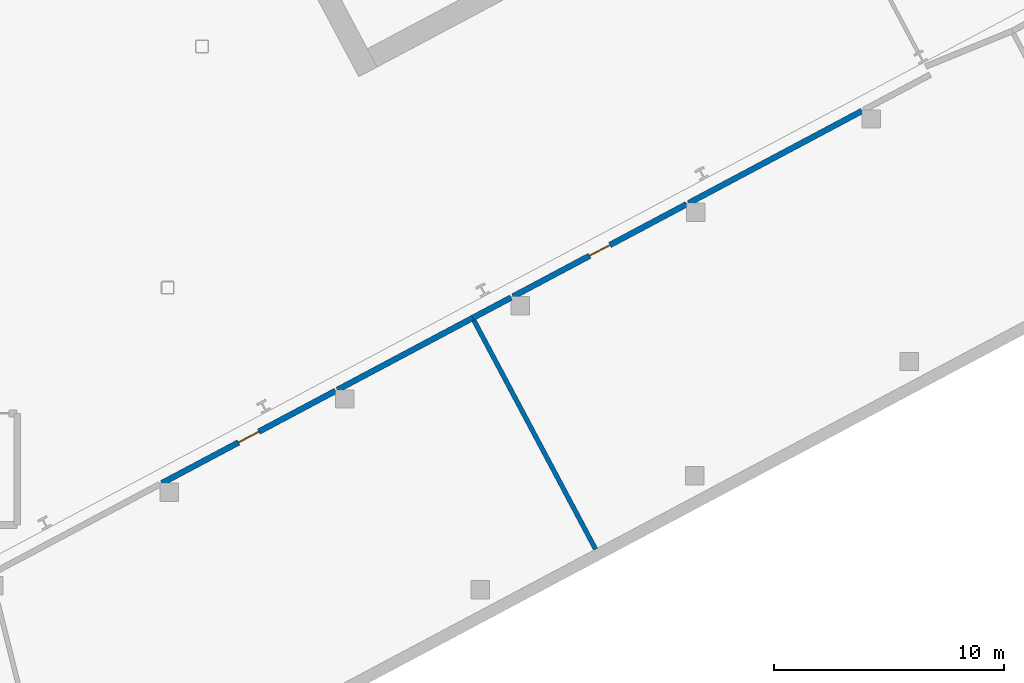
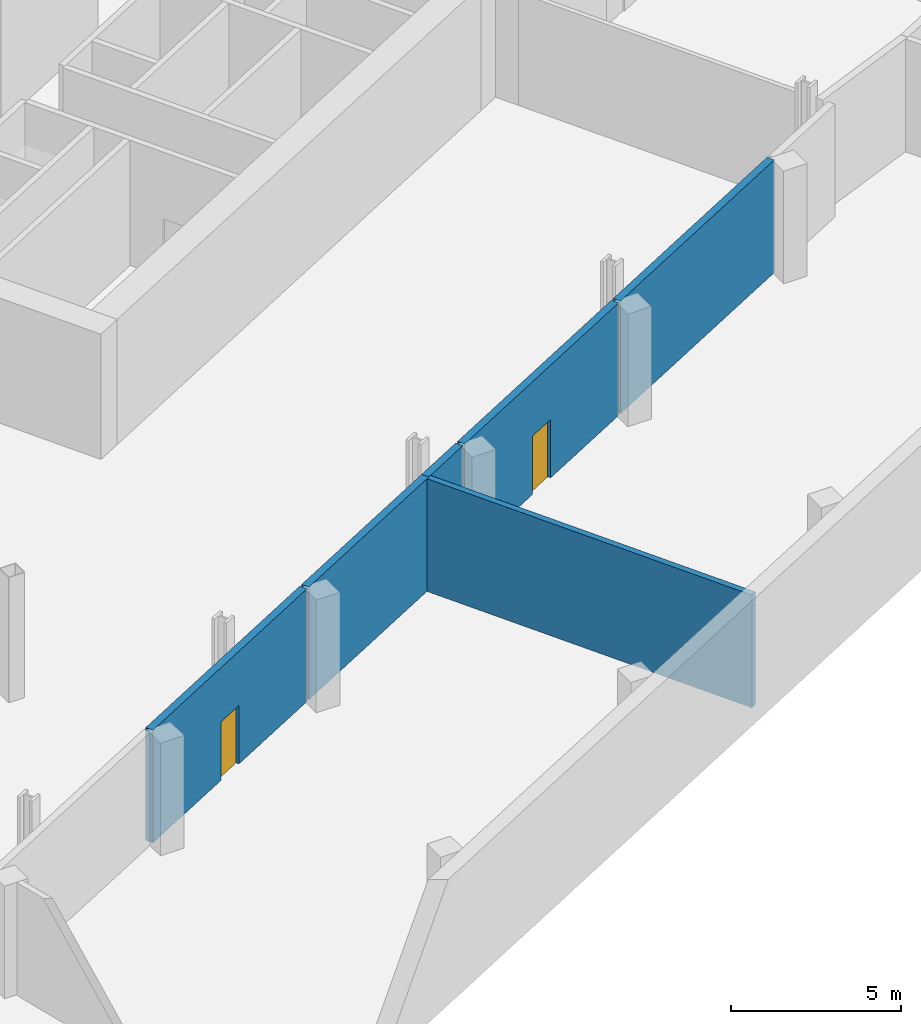
# One storey, part 11 of 27: 6 walls, 2 doors, 2 openings.
"""IFC4 building model written with IfcOpenShell, lengths in metres."""

from ifc_helpers import new_model, si_unit, direction, frame, frame_2d, origin, place, context, subcontext, project, spatial, rectangle, extrude, material, layer, layer_set, type_object, element, fill, save


model = new_model("IFC4")

# Units and contexts
model_context = context("Model", 3, precision=1e-05, world=origin(), true_north=direction((0.0, 1.0)))
body_context = subcontext(model_context, "Body", "Model", "MODEL_VIEW")
ifc_project = project(units=[si_unit("LENGTHUNIT", "METRE"), si_unit("AREAUNIT", "SQUARE_METRE"), si_unit("VOLUMEUNIT", "CUBIC_METRE"), si_unit("PLANEANGLEUNIT", "RADIAN"), si_unit("MASSUNIT", "GRAM", prefix="KILO")], contexts=[model_context])

# Site, building, storey
site_placement = place(None, origin())
site = spatial("IfcSite", under=ifc_project, at=site_placement, CompositionType="ELEMENT")
building_placement = place(site_placement, origin())
building = spatial("IfcBuilding", under=site, at=building_placement, Name="Cormorant Relay Tower", CompositionType="ELEMENT")
storey_placement = place(building_placement, frame((0.0, 0.0, -4.5)))
storey = spatial("IfcBuildingStorey", under=building, at=storey_placement, Name="B1", CompositionType="ELEMENT", Elevation=-4.5)

# Wall
ifc_material_1 = material(Name="Concrete masonry 20 MPa", Category="masonry")
ifc_layer_1 = layer(ifc_material_1, 0.25)
ifc_layer_set_1 = layer_set([ifc_layer_1], Name="Fire separation wall 250")
wall_type_1 = type_object("IfcWallType", Name="Fire separation wall 250", PredefinedType="SOLIDWALL", material=ifc_layer_set_1)
wall_1_placement = place(storey_placement, frame((23.781005859375, -11.819091796875, 0.0), z_axis=(0.0, 0.0, 1.0), x_axis=(-0.882996705644, -0.469379183413, 0.0)))
element("IfcWall", 1, at=wall_1_placement, inside=storey, type_object=wall_type_1, Name="Partition", PredefinedType="SOLIDWALL", context=body_context, shape_type="SweptSolid", body=[
    extrude(rectangle(XDim=6.668212890625, YDim=0.25, at=frame_2d((3.333984375, 0.0))), origin(), (0.0, 0.0, 1.0), 4.050048828125),
])

# Wall, opening, door
wall_2_placement = place(storey_placement, frame((17.806884765625, -14.994873046875, 0.0), z_axis=(0.0, 0.0, 1.0), x_axis=(-0.882988627018, -0.46939438062, 0.0)))
wall_2 = element("IfcWall", 2, at=wall_2_placement, inside=storey, type_object=wall_type_1, Name="Partition", PredefinedType="SOLIDWALL", context=body_context, shape_type="SweptSolid", body=[
    extrude(rectangle(XDim=8.55810546875, YDim=0.25, at=frame_2d((4.279052734375, 0.0))), origin(), (0.0, 0.0, 1.0), 4.050048828125),
])
opening_1_placement = place(wall_2_placement, frame((3.779052734375, 0.0, 0.0)))
opening_1 = element("IfcOpeningElement", 3, at=opening_1_placement, cuts=wall_2, Name="Opening PD1-027", PredefinedType="OPENING", context=body_context, shape_type="SweptSolid", body=[
    extrude(rectangle(XDim=1.0, YDim=2.10009765625, at=frame_2d((0.5, 1.050048828125))), frame((0.0, 0.135009765625, 0.0), z_axis=(0.0, -1.0, 0.0), x_axis=(1.0, 0.0, 0.0)), (0.0, 0.0, 1.0), 0.27001953125),
])
ifc_material_2 = material(Name="Steel door leaf", Category="steel")
door_type = type_object("IfcDoorType", Name="Door single 1000", OperationType="SINGLE_SWING_LEFT", PredefinedType="DOOR", material=ifc_material_2)
door_1_placement = place(opening_1_placement, origin())
door_1 = element("IfcDoor", 4, at=door_1_placement, inside=storey, type_object=door_type, Name="Door", OperationType="SINGLE_SWING_LEFT", OverallHeight=2.10009765625, OverallWidth=1.0, PredefinedType="DOOR", context=body_context, shape_type="SweptSolid", body=[
    extrude(rectangle(XDim=1.0, YDim=2.10009765625, at=frame_2d((0.5, 1.050048828125))), frame((0.0, 0.02490234375, 0.0), z_axis=(0.0, -1.0, 0.0), x_axis=(1.0, 0.0, 0.0)), (0.0, 0.0, 1.0), 0.050048828125),
])
fill(opening_1, door_1)

# Wall
wall_3_placement = place(storey_placement, frame((40.73291015625, -2.805419921875, 0.0), z_axis=(0.0, 0.0, 1.0), x_axis=(-0.882943115894, -0.469479982635, 0.0)))
element("IfcWall", 5, at=wall_3_placement, inside=storey, type_object=wall_type_1, Name="Partition", PredefinedType="SOLIDWALL", context=body_context, shape_type="SweptSolid", body=[
    extrude(rectangle(XDim=8.555419921875, YDim=0.25, at=frame_2d((4.27783203125, 0.0))), origin(), (0.0, 0.0, 1.0), 4.050048828125),
])

# Wall, opening, door
wall_4_placement = place(storey_placement, frame((33.091064453125, -6.86865234375, 0.0), z_axis=(0.0, 0.0, 1.0), x_axis=(-0.882945366868, -0.469475749243, 0.0)))
wall_4 = element("IfcWall", 6, at=wall_4_placement, inside=storey, type_object=wall_type_1, Name="Partition", PredefinedType="SOLIDWALL", context=body_context, shape_type="SweptSolid", body=[
    extrude(rectangle(XDim=8.55712890625, YDim=0.25, at=frame_2d((4.278564453125, 0.0))), origin(), (0.0, 0.0, 1.0), 4.050048828125),
])
opening_2_placement = place(wall_4_placement, frame((3.779052734375, 0.0, 0.0)))
opening_2 = element("IfcOpeningElement", 7, at=opening_2_placement, cuts=wall_4, Name="Opening PD1-028", PredefinedType="OPENING", context=body_context, shape_type="SweptSolid", body=[
    extrude(rectangle(XDim=1.0, YDim=2.10009765625, at=frame_2d((0.5, 1.050048828125))), frame((0.0, 0.135009765625, 0.0), z_axis=(0.0, -1.0, 0.0), x_axis=(1.0, 0.0, 0.0)), (0.0, 0.0, 1.0), 0.27001953125),
])
door_2_placement = place(opening_2_placement, origin())
door_2 = element("IfcDoor", 8, at=door_2_placement, inside=storey, type_object=door_type, Name="Door", OperationType="SINGLE_SWING_RIGHT", OverallHeight=2.10009765625, OverallWidth=1.0, PredefinedType="DOOR", context=body_context, shape_type="SweptSolid", body=[
    extrude(rectangle(XDim=1.0, YDim=2.10009765625, at=frame_2d((0.5, 1.050048828125))), frame((0.0, 0.02490234375, 0.0), z_axis=(0.0, -1.0, 0.0), x_axis=(1.0, 0.0, 0.0)), (0.0, 0.0, 1.0), 0.050048828125),
])
fill(opening_2, door_2)

# Walls
wall_5_placement = place(storey_placement, frame((25.448974609375, -10.931884765625, 0.0), z_axis=(0.0, 0.0, 1.0), x_axis=(-0.882889505907, -0.469580792153, 0.0)))
element("IfcWall", 9, at=wall_5_placement, inside=storey, type_object=wall_type_1, Name="Partition", PredefinedType="SOLIDWALL", context=body_context, shape_type="SweptSolid", body=[
    extrude(rectangle(XDim=1.88720703125, YDim=0.25, at=frame_2d((0.943603515625, 0.0))), origin(), (0.0, 0.0, 1.0), 4.050048828125),
])
ifc_material_3 = material(Name="Concrete masonry 20 MPa", Category="masonry")
ifc_layer_2 = layer(ifc_material_3, 0.199951171875)
ifc_layer_set_2 = layer_set([ifc_layer_2], Name="Plant room wall 200")
wall_type_2 = type_object("IfcWallType", Name="Plant room wall 200", PredefinedType="PARTITIONING", material=ifc_layer_set_2)
wall_6_placement = place(storey_placement, frame((29.12939453125, -21.886474609375, 0.0), z_axis=(0.0, 0.0, 1.0), x_axis=(-0.469474097874, 0.882946244924, 0.0)))
element("IfcWall", 10, at=wall_6_placement, inside=storey, type_object=wall_type_2, Name="Partition", PredefinedType="PARTITIONING", context=body_context, shape_type="SweptSolid", body=[
    extrude(rectangle(XDim=11.400146484375, YDim=0.199951171875, at=frame_2d((5.7001953125, 0.0))), origin(), (0.0, 0.0, 1.0), 4.050048828125),
])

save(model, "model.ifc")
